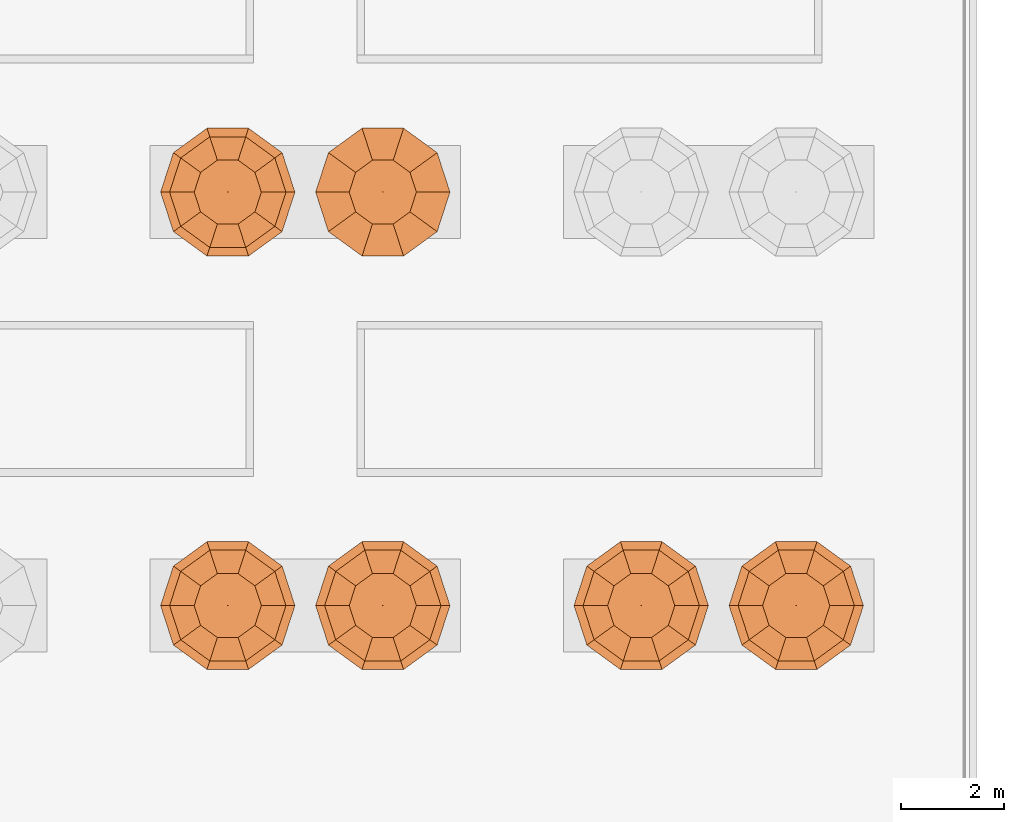
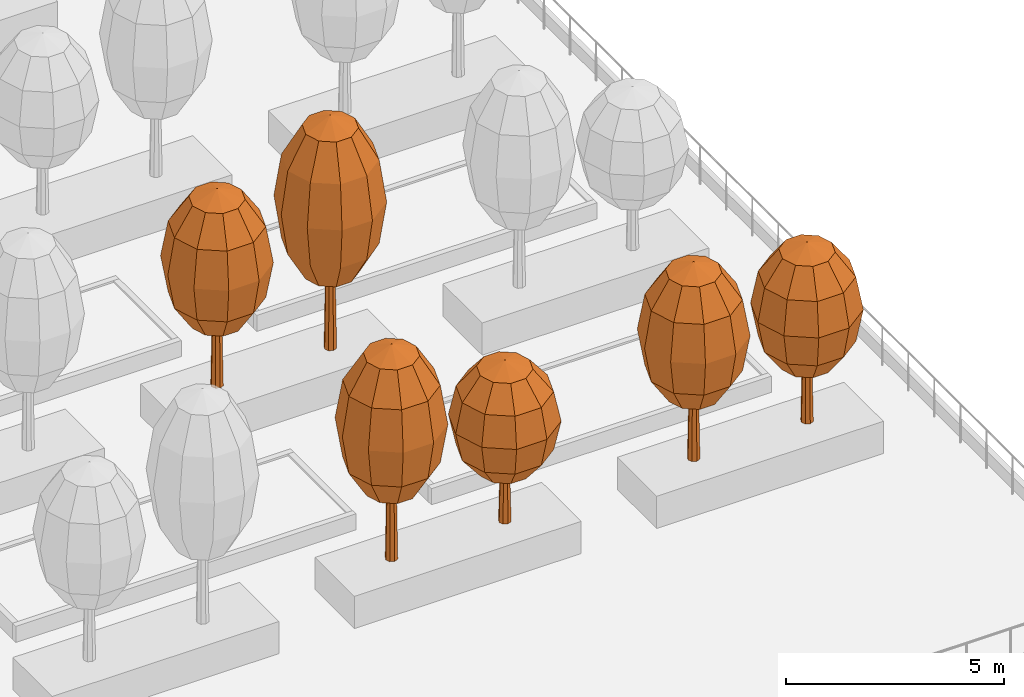
# One storey, part 98 of 100: 6 proxies.
"""IFC4 building model written with IfcOpenShell, lengths in metres."""

from ifc_helpers import new_model, si_unit, direction, frame, origin, place, context, subcontext, project, spatial, triangles, element, save


model = new_model("IFC4")

# Units and contexts
model_context = context("Model", 3, precision=1e-05, world=origin(), true_north=direction((0.0, 1.0)))
body_context = subcontext(model_context, "Body", "Model", "MODEL_VIEW")
ifc_project = project(units=[si_unit("LENGTHUNIT", "METRE"), si_unit("AREAUNIT", "SQUARE_METRE"), si_unit("VOLUMEUNIT", "CUBIC_METRE"), si_unit("PLANEANGLEUNIT", "RADIAN"), si_unit("MASSUNIT", "GRAM", prefix="KILO")], contexts=[model_context])

# Site, building, storey
site_placement = place(None, origin())
site = spatial("IfcSite", under=ifc_project, at=site_placement, CompositionType="ELEMENT")
building_placement = place(site_placement, origin())
building = spatial("IfcBuilding", under=site, at=building_placement, Name="Hakoniwa Tower and Hamabe Station Hall", CompositionType="ELEMENT")
storey_placement = place(building_placement, frame((0.0, 0.0, 9.0)))
storey = spatial("IfcBuildingStorey", under=building, at=storey_placement, Name="L02", CompositionType="ELEMENT", Elevation=9.0)

# Proxies
proxy_1_placement = place(storey_placement, frame((45.5, -57.0, 0.89990234375)))
element("IfcBuildingElementProxy", 1, at=proxy_1_placement, inside=storey, Name="Tree Ilex rotunda 05-1", ObjectType="TREE", PredefinedType="USERDEFINED", context=body_context, shape_type="Tessellation", body=[
    triangles([(0.14990234375, 0.0, 0.0), (0.106201171875, 0.106201171875, 0.0), (0.0, 0.14990234375, 0.0), (-0.106201171875, 0.106201171875, 0.0), (-0.14990234375, 0.0, 0.0), (-0.106201171875, -0.106201171875, 0.0), (0.0, -0.14990234375, 0.0), (0.106201171875, -0.106201171875, 0.0), (0.090087890625, 0.0, 3.6240234375), (0.063720703125, 0.063720703125, 3.6240234375), (0.0, 0.090087890625, 3.6240234375), (-0.063720703125, 0.063720703125, 3.6240234375), (-0.090087890625, 0.0, 3.6240234375), (-0.063720703125, -0.063720703125, 3.6240234375), (0.0, -0.090087890625, 3.6240234375), (0.063720703125, -0.063720703125, 3.6240234375), (0.0, 0.0, 0.0), (0.0, 0.0, 3.6240234375)], [[1, 2, 10], [1, 10, 9], [17, 2, 1], [18, 9, 10], [2, 3, 11], [2, 11, 10], [17, 3, 2], [18, 10, 11], [3, 4, 12], [3, 12, 11], [17, 4, 3], [18, 11, 12], [4, 5, 13], [4, 13, 12], [17, 5, 4], [18, 12, 13], [5, 6, 14], [5, 14, 13], [17, 6, 5], [18, 13, 14], [6, 7, 15], [6, 15, 14], [17, 7, 6], [18, 14, 15], [7, 8, 16], [7, 16, 15], [17, 8, 7], [18, 15, 16], [8, 1, 9], [8, 9, 16], [17, 1, 8], [18, 16, 9]], closed=True),
    triangles([(0.0, 0.0, 1.679931640625), (0.64990234375, 0.0, 1.969482421875), (0.52587890625, 0.382080078125, 1.969482421875), (0.200927734375, 0.6181640625, 1.969482421875), (-0.200927734375, 0.6181640625, 1.969482421875), (-0.52587890625, 0.382080078125, 1.969482421875), (-0.64990234375, 0.0, 1.969482421875), (-0.52587890625, -0.382080078125, 1.969482421875), (-0.200927734375, -0.6181640625, 1.969482421875), (0.200927734375, -0.6181640625, 1.969482421875), (0.52587890625, -0.382080078125, 1.969482421875), (1.1259765625, 0.0, 2.760009765625), (0.910888671875, 0.661865234375, 2.760009765625), (0.347900390625, 1.07080078125, 2.760009765625), (-0.347900390625, 1.07080078125, 2.760009765625), (-0.910888671875, 0.661865234375, 2.760009765625), (-1.1259765625, 0.0, 2.760009765625), (-0.910888671875, -0.661865234375, 2.760009765625), (-0.347900390625, -1.07080078125, 2.760009765625), (0.347900390625, -1.07080078125, 2.760009765625), (0.910888671875, -0.661865234375, 2.760009765625), (1.300048828125, 0.0, 3.840087890625), (1.0517578125, 0.76416015625, 3.840087890625), (0.40185546875, 1.236328125, 3.840087890625), (-0.40185546875, 1.236328125, 3.840087890625), (-1.0517578125, 0.76416015625, 3.840087890625), (-1.300048828125, 0.0, 3.840087890625), (-1.0517578125, -0.76416015625, 3.840087890625), (-0.40185546875, -1.236328125, 3.840087890625), (0.40185546875, -1.236328125, 3.840087890625), (1.0517578125, -0.76416015625, 3.840087890625), (1.1259765625, 0.0, 4.919921875), (0.910888671875, 0.661865234375, 4.919921875), (0.347900390625, 1.07080078125, 4.919921875), (-0.347900390625, 1.07080078125, 4.919921875), (-0.910888671875, 0.661865234375, 4.919921875), (-1.1259765625, 0.0, 4.919921875), (-0.910888671875, -0.661865234375, 4.919921875), (-0.347900390625, -1.07080078125, 4.919921875), (0.347900390625, -1.07080078125, 4.919921875), (0.910888671875, -0.661865234375, 4.919921875), (0.64990234375, 0.0, 5.710693359375), (0.52587890625, 0.382080078125, 5.710693359375), (0.200927734375, 0.6181640625, 5.710693359375), (-0.200927734375, 0.6181640625, 5.710693359375), (-0.52587890625, 0.382080078125, 5.710693359375), (-0.64990234375, 0.0, 5.710693359375), (-0.52587890625, -0.382080078125, 5.710693359375), (-0.200927734375, -0.6181640625, 5.710693359375), (0.200927734375, -0.6181640625, 5.710693359375), (0.52587890625, -0.382080078125, 5.710693359375), (0.0, 0.0, 6.0)], [[1, 3, 2], [1, 4, 3], [1, 5, 4], [1, 6, 5], [1, 7, 6], [1, 8, 7], [1, 9, 8], [1, 10, 9], [1, 11, 10], [1, 2, 11], [2, 3, 13], [2, 13, 12], [3, 4, 14], [3, 14, 13], [4, 5, 15], [4, 15, 14], [5, 6, 16], [5, 16, 15], [6, 7, 17], [6, 17, 16], [7, 8, 18], [7, 18, 17], [8, 9, 19], [8, 19, 18], [9, 10, 20], [9, 20, 19], [10, 11, 21], [10, 21, 20], [11, 2, 12], [11, 12, 21], [12, 13, 23], [12, 23, 22], [13, 14, 24], [13, 24, 23], [14, 15, 25], [14, 25, 24], [15, 16, 26], [15, 26, 25], [16, 17, 27], [16, 27, 26], [17, 18, 28], [17, 28, 27], [18, 19, 29], [18, 29, 28], [19, 20, 30], [19, 30, 29], [20, 21, 31], [20, 31, 30], [21, 12, 22], [21, 22, 31], [22, 23, 33], [22, 33, 32], [23, 24, 34], [23, 34, 33], [24, 25, 35], [24, 35, 34], [25, 26, 36], [25, 36, 35], [26, 27, 37], [26, 37, 36], [27, 28, 38], [27, 38, 37], [28, 29, 39], [28, 39, 38], [29, 30, 40], [29, 40, 39], [30, 31, 41], [30, 41, 40], [31, 22, 32], [31, 32, 41], [32, 33, 43], [32, 43, 42], [33, 34, 44], [33, 44, 43], [34, 35, 45], [34, 45, 44], [35, 36, 46], [35, 46, 45], [36, 37, 47], [36, 47, 46], [37, 38, 48], [37, 48, 47], [38, 39, 49], [38, 49, 48], [39, 40, 50], [39, 50, 49], [40, 41, 51], [40, 51, 50], [41, 32, 42], [41, 42, 51], [52, 42, 43], [52, 43, 44], [52, 44, 45], [52, 45, 46], [52, 46, 47], [52, 47, 48], [52, 48, 49], [52, 49, 50], [52, 50, 51], [52, 51, 42]], closed=True),
])
proxy_2_placement = place(storey_placement, frame((48.5, -57.0, 0.89990234375)))
element("IfcBuildingElementProxy", 2, at=proxy_2_placement, inside=storey, Name="Tree Camellia sasanqua 05-2", ObjectType="TREE", PredefinedType="USERDEFINED", context=body_context, shape_type="Tessellation", body=[
    triangles([(0.14990234375, 0.0, 0.0), (0.106201171875, 0.106201171875, 0.0), (0.0, 0.14990234375, 0.0), (-0.106201171875, 0.106201171875, 0.0), (-0.14990234375, 0.0, 0.0), (-0.106201171875, -0.106201171875, 0.0), (0.0, -0.14990234375, 0.0), (0.106201171875, -0.106201171875, 0.0), (0.090087890625, 0.0, 2.718017578125), (0.063720703125, 0.063720703125, 2.718017578125), (0.0, 0.090087890625, 2.718017578125), (-0.063720703125, 0.063720703125, 2.718017578125), (-0.090087890625, 0.0, 2.718017578125), (-0.063720703125, -0.063720703125, 2.718017578125), (0.0, -0.090087890625, 2.718017578125), (0.063720703125, -0.063720703125, 2.718017578125), (0.0, 0.0, 0.0), (0.0, 0.0, 2.718017578125)], [[1, 2, 10], [1, 10, 9], [17, 2, 1], [18, 9, 10], [2, 3, 11], [2, 11, 10], [17, 3, 2], [18, 10, 11], [3, 4, 12], [3, 12, 11], [17, 4, 3], [18, 11, 12], [4, 5, 13], [4, 13, 12], [17, 5, 4], [18, 12, 13], [5, 6, 14], [5, 14, 13], [17, 6, 5], [18, 13, 14], [6, 7, 15], [6, 15, 14], [17, 7, 6], [18, 14, 15], [7, 8, 16], [7, 16, 15], [17, 8, 7], [18, 15, 16], [8, 1, 9], [8, 9, 16], [17, 1, 8], [18, 16, 9]], closed=True),
    triangles([(0.0, 0.0, 1.260009765625), (0.64990234375, 0.0, 1.47705078125), (0.52587890625, 0.382080078125, 1.47705078125), (0.200927734375, 0.6181640625, 1.47705078125), (-0.200927734375, 0.6181640625, 1.47705078125), (-0.52587890625, 0.382080078125, 1.47705078125), (-0.64990234375, 0.0, 1.47705078125), (-0.52587890625, -0.382080078125, 1.47705078125), (-0.200927734375, -0.6181640625, 1.47705078125), (0.200927734375, -0.6181640625, 1.47705078125), (0.52587890625, -0.382080078125, 1.47705078125), (1.1259765625, 0.0, 2.070068359375), (0.910888671875, 0.661865234375, 2.070068359375), (0.347900390625, 1.07080078125, 2.070068359375), (-0.347900390625, 1.07080078125, 2.070068359375), (-0.910888671875, 0.661865234375, 2.070068359375), (-1.1259765625, 0.0, 2.070068359375), (-0.910888671875, -0.661865234375, 2.070068359375), (-0.347900390625, -1.07080078125, 2.070068359375), (0.347900390625, -1.07080078125, 2.070068359375), (0.910888671875, -0.661865234375, 2.070068359375), (1.300048828125, 0.0, 2.8798828125), (1.0517578125, 0.76416015625, 2.8798828125), (0.40185546875, 1.236328125, 2.8798828125), (-0.40185546875, 1.236328125, 2.8798828125), (-1.0517578125, 0.76416015625, 2.8798828125), (-1.300048828125, 0.0, 2.8798828125), (-1.0517578125, -0.76416015625, 2.8798828125), (-0.40185546875, -1.236328125, 2.8798828125), (0.40185546875, -1.236328125, 2.8798828125), (1.0517578125, -0.76416015625, 2.8798828125), (1.1259765625, 0.0, 3.68994140625), (0.910888671875, 0.661865234375, 3.68994140625), (0.347900390625, 1.07080078125, 3.68994140625), (-0.347900390625, 1.07080078125, 3.68994140625), (-0.910888671875, 0.661865234375, 3.68994140625), (-1.1259765625, 0.0, 3.68994140625), (-0.910888671875, -0.661865234375, 3.68994140625), (-0.347900390625, -1.07080078125, 3.68994140625), (0.347900390625, -1.07080078125, 3.68994140625), (0.910888671875, -0.661865234375, 3.68994140625), (0.64990234375, 0.0, 4.282958984375), (0.52587890625, 0.382080078125, 4.282958984375), (0.200927734375, 0.6181640625, 4.282958984375), (-0.200927734375, 0.6181640625, 4.282958984375), (-0.52587890625, 0.382080078125, 4.282958984375), (-0.64990234375, 0.0, 4.282958984375), (-0.52587890625, -0.382080078125, 4.282958984375), (-0.200927734375, -0.6181640625, 4.282958984375), (0.200927734375, -0.6181640625, 4.282958984375), (0.52587890625, -0.382080078125, 4.282958984375), (0.0, 0.0, 4.5)], [[1, 3, 2], [1, 4, 3], [1, 5, 4], [1, 6, 5], [1, 7, 6], [1, 8, 7], [1, 9, 8], [1, 10, 9], [1, 11, 10], [1, 2, 11], [2, 3, 13], [2, 13, 12], [3, 4, 14], [3, 14, 13], [4, 5, 15], [4, 15, 14], [5, 6, 16], [5, 16, 15], [6, 7, 17], [6, 17, 16], [7, 8, 18], [7, 18, 17], [8, 9, 19], [8, 19, 18], [9, 10, 20], [9, 20, 19], [10, 11, 21], [10, 21, 20], [11, 2, 12], [11, 12, 21], [12, 13, 23], [12, 23, 22], [13, 14, 24], [13, 24, 23], [14, 15, 25], [14, 25, 24], [15, 16, 26], [15, 26, 25], [16, 17, 27], [16, 27, 26], [17, 18, 28], [17, 28, 27], [18, 19, 29], [18, 29, 28], [19, 20, 30], [19, 30, 29], [20, 21, 31], [20, 31, 30], [21, 12, 22], [21, 22, 31], [22, 23, 33], [22, 33, 32], [23, 24, 34], [23, 34, 33], [24, 25, 35], [24, 35, 34], [25, 26, 36], [25, 36, 35], [26, 27, 37], [26, 37, 36], [27, 28, 38], [27, 38, 37], [28, 29, 39], [28, 39, 38], [29, 30, 40], [29, 40, 39], [30, 31, 41], [30, 41, 40], [31, 22, 32], [31, 32, 41], [32, 33, 43], [32, 43, 42], [33, 34, 44], [33, 44, 43], [34, 35, 45], [34, 45, 44], [35, 36, 46], [35, 46, 45], [36, 37, 47], [36, 47, 46], [37, 38, 48], [37, 48, 47], [38, 39, 49], [38, 49, 48], [39, 40, 50], [39, 50, 49], [40, 41, 51], [40, 51, 50], [41, 32, 42], [41, 42, 51], [52, 42, 43], [52, 43, 44], [52, 44, 45], [52, 45, 46], [52, 46, 47], [52, 47, 48], [52, 48, 49], [52, 49, 50], [52, 50, 51], [52, 51, 42]], closed=True),
])
proxy_3_placement = place(storey_placement, frame((53.5, -57.0, 0.89990234375)))
element("IfcBuildingElementProxy", 3, at=proxy_3_placement, inside=storey, Name="Tree Ternstroemia gymnanthera 06-1", ObjectType="TREE", PredefinedType="USERDEFINED", context=body_context, shape_type="Tessellation", body=[
    triangles([(0.14990234375, 0.0, 0.0), (0.106201171875, 0.106201171875, 0.0), (0.0, 0.14990234375, 0.0), (-0.106201171875, 0.106201171875, 0.0), (-0.14990234375, 0.0, 0.0), (-0.106201171875, -0.106201171875, 0.0), (0.0, -0.14990234375, 0.0), (0.106201171875, -0.106201171875, 0.0), (0.090087890625, 0.0, 3.322021484375), (0.063720703125, 0.063720703125, 3.322021484375), (0.0, 0.090087890625, 3.322021484375), (-0.063720703125, 0.063720703125, 3.322021484375), (-0.090087890625, 0.0, 3.322021484375), (-0.063720703125, -0.063720703125, 3.322021484375), (0.0, -0.090087890625, 3.322021484375), (0.063720703125, -0.063720703125, 3.322021484375), (0.0, 0.0, 0.0), (0.0, 0.0, 3.322021484375)], [[1, 2, 10], [1, 10, 9], [17, 2, 1], [18, 9, 10], [2, 3, 11], [2, 11, 10], [17, 3, 2], [18, 10, 11], [3, 4, 12], [3, 12, 11], [17, 4, 3], [18, 11, 12], [4, 5, 13], [4, 13, 12], [17, 5, 4], [18, 12, 13], [5, 6, 14], [5, 14, 13], [17, 6, 5], [18, 13, 14], [6, 7, 15], [6, 15, 14], [17, 7, 6], [18, 14, 15], [7, 8, 16], [7, 16, 15], [17, 8, 7], [18, 15, 16], [8, 1, 9], [8, 9, 16], [17, 1, 8], [18, 16, 9]], closed=True),
    triangles([(0.0, 0.0, 1.5400390625), (0.64990234375, 0.0, 1.80517578125), (0.52587890625, 0.382080078125, 1.80517578125), (0.200927734375, 0.6181640625, 1.80517578125), (-0.200927734375, 0.6181640625, 1.80517578125), (-0.52587890625, 0.382080078125, 1.80517578125), (-0.64990234375, 0.0, 1.80517578125), (-0.52587890625, -0.382080078125, 1.80517578125), (-0.200927734375, -0.6181640625, 1.80517578125), (0.200927734375, -0.6181640625, 1.80517578125), (0.52587890625, -0.382080078125, 1.80517578125), (1.1259765625, 0.0, 2.530029296875), (0.910888671875, 0.661865234375, 2.530029296875), (0.347900390625, 1.07080078125, 2.530029296875), (-0.347900390625, 1.07080078125, 2.530029296875), (-0.910888671875, 0.661865234375, 2.530029296875), (-1.1259765625, 0.0, 2.530029296875), (-0.910888671875, -0.661865234375, 2.530029296875), (-0.347900390625, -1.07080078125, 2.530029296875), (0.347900390625, -1.07080078125, 2.530029296875), (0.910888671875, -0.661865234375, 2.530029296875), (1.300048828125, 0.0, 3.52001953125), (1.0517578125, 0.76416015625, 3.52001953125), (0.40185546875, 1.236328125, 3.52001953125), (-0.40185546875, 1.236328125, 3.52001953125), (-1.0517578125, 0.76416015625, 3.52001953125), (-1.300048828125, 0.0, 3.52001953125), (-1.0517578125, -0.76416015625, 3.52001953125), (-0.40185546875, -1.236328125, 3.52001953125), (0.40185546875, -1.236328125, 3.52001953125), (1.0517578125, -0.76416015625, 3.52001953125), (1.1259765625, 0.0, 4.510009765625), (0.910888671875, 0.661865234375, 4.510009765625), (0.347900390625, 1.07080078125, 4.510009765625), (-0.347900390625, 1.07080078125, 4.510009765625), (-0.910888671875, 0.661865234375, 4.510009765625), (-1.1259765625, 0.0, 4.510009765625), (-0.910888671875, -0.661865234375, 4.510009765625), (-0.347900390625, -1.07080078125, 4.510009765625), (0.347900390625, -1.07080078125, 4.510009765625), (0.910888671875, -0.661865234375, 4.510009765625), (0.64990234375, 0.0, 5.234619140625), (0.52587890625, 0.382080078125, 5.234619140625), (0.200927734375, 0.6181640625, 5.234619140625), (-0.200927734375, 0.6181640625, 5.234619140625), (-0.52587890625, 0.382080078125, 5.234619140625), (-0.64990234375, 0.0, 5.234619140625), (-0.52587890625, -0.382080078125, 5.234619140625), (-0.200927734375, -0.6181640625, 5.234619140625), (0.200927734375, -0.6181640625, 5.234619140625), (0.52587890625, -0.382080078125, 5.234619140625), (0.0, 0.0, 5.5)], [[1, 3, 2], [1, 4, 3], [1, 5, 4], [1, 6, 5], [1, 7, 6], [1, 8, 7], [1, 9, 8], [1, 10, 9], [1, 11, 10], [1, 2, 11], [2, 3, 13], [2, 13, 12], [3, 4, 14], [3, 14, 13], [4, 5, 15], [4, 15, 14], [5, 6, 16], [5, 16, 15], [6, 7, 17], [6, 17, 16], [7, 8, 18], [7, 18, 17], [8, 9, 19], [8, 19, 18], [9, 10, 20], [9, 20, 19], [10, 11, 21], [10, 21, 20], [11, 2, 12], [11, 12, 21], [12, 13, 23], [12, 23, 22], [13, 14, 24], [13, 24, 23], [14, 15, 25], [14, 25, 24], [15, 16, 26], [15, 26, 25], [16, 17, 27], [16, 27, 26], [17, 18, 28], [17, 28, 27], [18, 19, 29], [18, 29, 28], [19, 20, 30], [19, 30, 29], [20, 21, 31], [20, 31, 30], [21, 12, 22], [21, 22, 31], [22, 23, 33], [22, 33, 32], [23, 24, 34], [23, 34, 33], [24, 25, 35], [24, 35, 34], [25, 26, 36], [25, 36, 35], [26, 27, 37], [26, 37, 36], [27, 28, 38], [27, 38, 37], [28, 29, 39], [28, 39, 38], [29, 30, 40], [29, 40, 39], [30, 31, 41], [30, 41, 40], [31, 22, 32], [31, 32, 41], [32, 33, 43], [32, 43, 42], [33, 34, 44], [33, 44, 43], [34, 35, 45], [34, 45, 44], [35, 36, 46], [35, 46, 45], [36, 37, 47], [36, 47, 46], [37, 38, 48], [37, 48, 47], [38, 39, 49], [38, 49, 48], [39, 40, 50], [39, 50, 49], [40, 41, 51], [40, 51, 50], [41, 32, 42], [41, 42, 51], [52, 42, 43], [52, 43, 44], [52, 44, 45], [52, 45, 46], [52, 46, 47], [52, 47, 48], [52, 48, 49], [52, 49, 50], [52, 50, 51], [52, 51, 42]], closed=True),
])
proxy_4_placement = place(storey_placement, frame((56.5, -57.0, 0.89990234375)))
element("IfcBuildingElementProxy", 4, at=proxy_4_placement, inside=storey, Name="Tree Ilex pedunculosa 06-2", ObjectType="TREE", PredefinedType="USERDEFINED", context=body_context, shape_type="Tessellation", body=[
    triangles([(0.14990234375, 0.0, 0.0), (0.106201171875, 0.106201171875, 0.0), (0.0, 0.14990234375, 0.0), (-0.106201171875, 0.106201171875, 0.0), (-0.14990234375, 0.0, 0.0), (-0.106201171875, -0.106201171875, 0.0), (0.0, -0.14990234375, 0.0), (0.106201171875, -0.106201171875, 0.0), (0.090087890625, 0.0, 3.02001953125), (0.063720703125, 0.063720703125, 3.02001953125), (0.0, 0.090087890625, 3.02001953125), (-0.063720703125, 0.063720703125, 3.02001953125), (-0.090087890625, 0.0, 3.02001953125), (-0.063720703125, -0.063720703125, 3.02001953125), (0.0, -0.090087890625, 3.02001953125), (0.063720703125, -0.063720703125, 3.02001953125), (0.0, 0.0, 0.0), (0.0, 0.0, 3.02001953125)], [[1, 2, 10], [1, 10, 9], [17, 2, 1], [18, 9, 10], [2, 3, 11], [2, 11, 10], [17, 3, 2], [18, 10, 11], [3, 4, 12], [3, 12, 11], [17, 4, 3], [18, 11, 12], [4, 5, 13], [4, 13, 12], [17, 5, 4], [18, 12, 13], [5, 6, 14], [5, 14, 13], [17, 6, 5], [18, 13, 14], [6, 7, 15], [6, 15, 14], [17, 7, 6], [18, 14, 15], [7, 8, 16], [7, 16, 15], [17, 8, 7], [18, 15, 16], [8, 1, 9], [8, 9, 16], [17, 1, 8], [18, 16, 9]], closed=True),
    triangles([(0.0, 0.0, 1.39990234375), (0.64990234375, 0.0, 1.64111328125), (0.52587890625, 0.382080078125, 1.64111328125), (0.200927734375, 0.6181640625, 1.64111328125), (-0.200927734375, 0.6181640625, 1.64111328125), (-0.52587890625, 0.382080078125, 1.64111328125), (-0.64990234375, 0.0, 1.64111328125), (-0.52587890625, -0.382080078125, 1.64111328125), (-0.200927734375, -0.6181640625, 1.64111328125), (0.200927734375, -0.6181640625, 1.64111328125), (0.52587890625, -0.382080078125, 1.64111328125), (1.1259765625, 0.0, 2.300048828125), (0.910888671875, 0.661865234375, 2.300048828125), (0.347900390625, 1.07080078125, 2.300048828125), (-0.347900390625, 1.07080078125, 2.300048828125), (-0.910888671875, 0.661865234375, 2.300048828125), (-1.1259765625, 0.0, 2.300048828125), (-0.910888671875, -0.661865234375, 2.300048828125), (-0.347900390625, -1.07080078125, 2.300048828125), (0.347900390625, -1.07080078125, 2.300048828125), (0.910888671875, -0.661865234375, 2.300048828125), (1.300048828125, 0.0, 3.199951171875), (1.0517578125, 0.76416015625, 3.199951171875), (0.40185546875, 1.236328125, 3.199951171875), (-0.40185546875, 1.236328125, 3.199951171875), (-1.0517578125, 0.76416015625, 3.199951171875), (-1.300048828125, 0.0, 3.199951171875), (-1.0517578125, -0.76416015625, 3.199951171875), (-0.40185546875, -1.236328125, 3.199951171875), (0.40185546875, -1.236328125, 3.199951171875), (1.0517578125, -0.76416015625, 3.199951171875), (1.1259765625, 0.0, 4.10009765625), (0.910888671875, 0.661865234375, 4.10009765625), (0.347900390625, 1.07080078125, 4.10009765625), (-0.347900390625, 1.07080078125, 4.10009765625), (-0.910888671875, 0.661865234375, 4.10009765625), (-1.1259765625, 0.0, 4.10009765625), (-0.910888671875, -0.661865234375, 4.10009765625), (-0.347900390625, -1.07080078125, 4.10009765625), (0.347900390625, -1.07080078125, 4.10009765625), (0.910888671875, -0.661865234375, 4.10009765625), (0.64990234375, 0.0, 4.7587890625), (0.52587890625, 0.382080078125, 4.7587890625), (0.200927734375, 0.6181640625, 4.7587890625), (-0.200927734375, 0.6181640625, 4.7587890625), (-0.52587890625, 0.382080078125, 4.7587890625), (-0.64990234375, 0.0, 4.7587890625), (-0.52587890625, -0.382080078125, 4.7587890625), (-0.200927734375, -0.6181640625, 4.7587890625), (0.200927734375, -0.6181640625, 4.7587890625), (0.52587890625, -0.382080078125, 4.7587890625), (0.0, 0.0, 5.0)], [[1, 3, 2], [1, 4, 3], [1, 5, 4], [1, 6, 5], [1, 7, 6], [1, 8, 7], [1, 9, 8], [1, 10, 9], [1, 11, 10], [1, 2, 11], [2, 3, 13], [2, 13, 12], [3, 4, 14], [3, 14, 13], [4, 5, 15], [4, 15, 14], [5, 6, 16], [5, 16, 15], [6, 7, 17], [6, 17, 16], [7, 8, 18], [7, 18, 17], [8, 9, 19], [8, 19, 18], [9, 10, 20], [9, 20, 19], [10, 11, 21], [10, 21, 20], [11, 2, 12], [11, 12, 21], [12, 13, 23], [12, 23, 22], [13, 14, 24], [13, 24, 23], [14, 15, 25], [14, 25, 24], [15, 16, 26], [15, 26, 25], [16, 17, 27], [16, 27, 26], [17, 18, 28], [17, 28, 27], [18, 19, 29], [18, 29, 28], [19, 20, 30], [19, 30, 29], [20, 21, 31], [20, 31, 30], [21, 12, 22], [21, 22, 31], [22, 23, 33], [22, 33, 32], [23, 24, 34], [23, 34, 33], [24, 25, 35], [24, 35, 34], [25, 26, 36], [25, 36, 35], [26, 27, 37], [26, 37, 36], [27, 28, 38], [27, 38, 37], [28, 29, 39], [28, 39, 38], [29, 30, 40], [29, 40, 39], [30, 31, 41], [30, 41, 40], [31, 22, 32], [31, 32, 41], [32, 33, 43], [32, 43, 42], [33, 34, 44], [33, 44, 43], [34, 35, 45], [34, 45, 44], [35, 36, 46], [35, 46, 45], [36, 37, 47], [36, 47, 46], [37, 38, 48], [37, 48, 47], [38, 39, 49], [38, 49, 48], [39, 40, 50], [39, 50, 49], [40, 41, 51], [40, 51, 50], [41, 32, 42], [41, 42, 51], [52, 42, 43], [52, 43, 44], [52, 44, 45], [52, 45, 46], [52, 46, 47], [52, 47, 48], [52, 48, 49], [52, 49, 50], [52, 50, 51], [52, 51, 42]], closed=True),
])
proxy_5_placement = place(storey_placement, frame((45.5, -49.0, 0.89990234375)))
element("IfcBuildingElementProxy", 5, at=proxy_5_placement, inside=storey, Name="Tree Dendropanax trifidus 11-1", ObjectType="TREE", PredefinedType="USERDEFINED", context=body_context, shape_type="Tessellation", body=[
    triangles([(0.14990234375, 0.0, 0.0), (0.106201171875, 0.106201171875, 0.0), (0.0, 0.14990234375, 0.0), (-0.106201171875, 0.106201171875, 0.0), (-0.14990234375, 0.0, 0.0), (-0.106201171875, -0.106201171875, 0.0), (0.0, -0.14990234375, 0.0), (0.106201171875, -0.106201171875, 0.0), (0.090087890625, 0.0, 3.322021484375), (0.063720703125, 0.063720703125, 3.322021484375), (0.0, 0.090087890625, 3.322021484375), (-0.063720703125, 0.063720703125, 3.322021484375), (-0.090087890625, 0.0, 3.322021484375), (-0.063720703125, -0.063720703125, 3.322021484375), (0.0, -0.090087890625, 3.322021484375), (0.063720703125, -0.063720703125, 3.322021484375), (0.0, 0.0, 0.0), (0.0, 0.0, 3.322021484375)], [[1, 2, 10], [1, 10, 9], [17, 2, 1], [18, 9, 10], [2, 3, 11], [2, 11, 10], [17, 3, 2], [18, 10, 11], [3, 4, 12], [3, 12, 11], [17, 4, 3], [18, 11, 12], [4, 5, 13], [4, 13, 12], [17, 5, 4], [18, 12, 13], [5, 6, 14], [5, 14, 13], [17, 6, 5], [18, 13, 14], [6, 7, 15], [6, 15, 14], [17, 7, 6], [18, 14, 15], [7, 8, 16], [7, 16, 15], [17, 8, 7], [18, 15, 16], [8, 1, 9], [8, 9, 16], [17, 1, 8], [18, 16, 9]], closed=True),
    triangles([(0.0, 0.0, 1.5400390625), (0.64990234375, 0.0, 1.80517578125), (0.52587890625, 0.382080078125, 1.80517578125), (0.200927734375, 0.6181640625, 1.80517578125), (-0.200927734375, 0.6181640625, 1.80517578125), (-0.52587890625, 0.382080078125, 1.80517578125), (-0.64990234375, 0.0, 1.80517578125), (-0.52587890625, -0.382080078125, 1.80517578125), (-0.200927734375, -0.6181640625, 1.80517578125), (0.200927734375, -0.6181640625, 1.80517578125), (0.52587890625, -0.382080078125, 1.80517578125), (1.1259765625, 0.0, 2.530029296875), (0.910888671875, 0.661865234375, 2.530029296875), (0.347900390625, 1.07080078125, 2.530029296875), (-0.347900390625, 1.07080078125, 2.530029296875), (-0.910888671875, 0.661865234375, 2.530029296875), (-1.1259765625, 0.0, 2.530029296875), (-0.910888671875, -0.661865234375, 2.530029296875), (-0.347900390625, -1.07080078125, 2.530029296875), (0.347900390625, -1.07080078125, 2.530029296875), (0.910888671875, -0.661865234375, 2.530029296875), (1.300048828125, 0.0, 3.52001953125), (1.0517578125, 0.76416015625, 3.52001953125), (0.40185546875, 1.236328125, 3.52001953125), (-0.40185546875, 1.236328125, 3.52001953125), (-1.0517578125, 0.76416015625, 3.52001953125), (-1.300048828125, 0.0, 3.52001953125), (-1.0517578125, -0.76416015625, 3.52001953125), (-0.40185546875, -1.236328125, 3.52001953125), (0.40185546875, -1.236328125, 3.52001953125), (1.0517578125, -0.76416015625, 3.52001953125), (1.1259765625, 0.0, 4.510009765625), (0.910888671875, 0.661865234375, 4.510009765625), (0.347900390625, 1.07080078125, 4.510009765625), (-0.347900390625, 1.07080078125, 4.510009765625), (-0.910888671875, 0.661865234375, 4.510009765625), (-1.1259765625, 0.0, 4.510009765625), (-0.910888671875, -0.661865234375, 4.510009765625), (-0.347900390625, -1.07080078125, 4.510009765625), (0.347900390625, -1.07080078125, 4.510009765625), (0.910888671875, -0.661865234375, 4.510009765625), (0.64990234375, 0.0, 5.234619140625), (0.52587890625, 0.382080078125, 5.234619140625), (0.200927734375, 0.6181640625, 5.234619140625), (-0.200927734375, 0.6181640625, 5.234619140625), (-0.52587890625, 0.382080078125, 5.234619140625), (-0.64990234375, 0.0, 5.234619140625), (-0.52587890625, -0.382080078125, 5.234619140625), (-0.200927734375, -0.6181640625, 5.234619140625), (0.200927734375, -0.6181640625, 5.234619140625), (0.52587890625, -0.382080078125, 5.234619140625), (0.0, 0.0, 5.5)], [[1, 3, 2], [1, 4, 3], [1, 5, 4], [1, 6, 5], [1, 7, 6], [1, 8, 7], [1, 9, 8], [1, 10, 9], [1, 11, 10], [1, 2, 11], [2, 3, 13], [2, 13, 12], [3, 4, 14], [3, 14, 13], [4, 5, 15], [4, 15, 14], [5, 6, 16], [5, 16, 15], [6, 7, 17], [6, 17, 16], [7, 8, 18], [7, 18, 17], [8, 9, 19], [8, 19, 18], [9, 10, 20], [9, 20, 19], [10, 11, 21], [10, 21, 20], [11, 2, 12], [11, 12, 21], [12, 13, 23], [12, 23, 22], [13, 14, 24], [13, 24, 23], [14, 15, 25], [14, 25, 24], [15, 16, 26], [15, 26, 25], [16, 17, 27], [16, 27, 26], [17, 18, 28], [17, 28, 27], [18, 19, 29], [18, 29, 28], [19, 20, 30], [19, 30, 29], [20, 21, 31], [20, 31, 30], [21, 12, 22], [21, 22, 31], [22, 23, 33], [22, 33, 32], [23, 24, 34], [23, 34, 33], [24, 25, 35], [24, 35, 34], [25, 26, 36], [25, 36, 35], [26, 27, 37], [26, 37, 36], [27, 28, 38], [27, 38, 37], [28, 29, 39], [28, 39, 38], [29, 30, 40], [29, 40, 39], [30, 31, 41], [30, 41, 40], [31, 22, 32], [31, 32, 41], [32, 33, 43], [32, 43, 42], [33, 34, 44], [33, 44, 43], [34, 35, 45], [34, 45, 44], [35, 36, 46], [35, 46, 45], [36, 37, 47], [36, 47, 46], [37, 38, 48], [37, 48, 47], [38, 39, 49], [38, 49, 48], [39, 40, 50], [39, 50, 49], [40, 41, 51], [40, 51, 50], [41, 32, 42], [41, 42, 51], [52, 42, 43], [52, 43, 44], [52, 44, 45], [52, 45, 46], [52, 46, 47], [52, 47, 48], [52, 48, 49], [52, 49, 50], [52, 50, 51], [52, 51, 42]], closed=True),
])
proxy_6_placement = place(storey_placement, frame((48.5, -49.0, 0.89990234375)))
element("IfcBuildingElementProxy", 6, at=proxy_6_placement, inside=storey, Name="Tree Quercus phillyraeoides 11-2", ObjectType="TREE", PredefinedType="USERDEFINED", context=body_context, shape_type="Tessellation", body=[
    triangles([(0.14990234375, 0.0, 0.0), (0.106201171875, 0.106201171875, 0.0), (0.0, 0.14990234375, 0.0), (-0.106201171875, 0.106201171875, 0.0), (-0.14990234375, 0.0, 0.0), (-0.106201171875, -0.106201171875, 0.0), (0.0, -0.14990234375, 0.0), (0.106201171875, -0.106201171875, 0.0), (0.090087890625, 0.0, 3.926025390625), (0.063720703125, 0.063720703125, 3.926025390625), (0.0, 0.090087890625, 3.926025390625), (-0.063720703125, 0.063720703125, 3.926025390625), (-0.090087890625, 0.0, 3.926025390625), (-0.063720703125, -0.063720703125, 3.926025390625), (0.0, -0.090087890625, 3.926025390625), (0.063720703125, -0.063720703125, 3.926025390625), (0.0, 0.0, 0.0), (0.0, 0.0, 3.926025390625)], [[1, 2, 10], [1, 10, 9], [17, 2, 1], [18, 9, 10], [2, 3, 11], [2, 11, 10], [17, 3, 2], [18, 10, 11], [3, 4, 12], [3, 12, 11], [17, 4, 3], [18, 11, 12], [4, 5, 13], [4, 13, 12], [17, 5, 4], [18, 12, 13], [5, 6, 14], [5, 14, 13], [17, 6, 5], [18, 13, 14], [6, 7, 15], [6, 15, 14], [17, 7, 6], [18, 14, 15], [7, 8, 16], [7, 16, 15], [17, 8, 7], [18, 15, 16], [8, 1, 9], [8, 9, 16], [17, 1, 8], [18, 16, 9]], closed=True),
    triangles([(0.0, 0.0, 1.820068359375), (0.64990234375, 0.0, 2.133544921875), (0.52587890625, 0.382080078125, 2.133544921875), (0.200927734375, 0.6181640625, 2.133544921875), (-0.200927734375, 0.6181640625, 2.133544921875), (-0.52587890625, 0.382080078125, 2.133544921875), (-0.64990234375, 0.0, 2.133544921875), (-0.52587890625, -0.382080078125, 2.133544921875), (-0.200927734375, -0.6181640625, 2.133544921875), (0.200927734375, -0.6181640625, 2.133544921875), (0.52587890625, -0.382080078125, 2.133544921875), (1.1259765625, 0.0, 2.989990234375), (0.910888671875, 0.661865234375, 2.989990234375), (0.347900390625, 1.07080078125, 2.989990234375), (-0.347900390625, 1.07080078125, 2.989990234375), (-0.910888671875, 0.661865234375, 2.989990234375), (-1.1259765625, 0.0, 2.989990234375), (-0.910888671875, -0.661865234375, 2.989990234375), (-0.347900390625, -1.07080078125, 2.989990234375), (0.347900390625, -1.07080078125, 2.989990234375), (0.910888671875, -0.661865234375, 2.989990234375), (1.300048828125, 0.0, 4.159912109375), (1.0517578125, 0.76416015625, 4.159912109375), (0.40185546875, 1.236328125, 4.159912109375), (-0.40185546875, 1.236328125, 4.159912109375), (-1.0517578125, 0.76416015625, 4.159912109375), (-1.300048828125, 0.0, 4.159912109375), (-1.0517578125, -0.76416015625, 4.159912109375), (-0.40185546875, -1.236328125, 4.159912109375), (0.40185546875, -1.236328125, 4.159912109375), (1.0517578125, -0.76416015625, 4.159912109375), (1.1259765625, 0.0, 5.330078125), (0.910888671875, 0.661865234375, 5.330078125), (0.347900390625, 1.07080078125, 5.330078125), (-0.347900390625, 1.07080078125, 5.330078125), (-0.910888671875, 0.661865234375, 5.330078125), (-1.1259765625, 0.0, 5.330078125), (-0.910888671875, -0.661865234375, 5.330078125), (-0.347900390625, -1.07080078125, 5.330078125), (0.347900390625, -1.07080078125, 5.330078125), (0.910888671875, -0.661865234375, 5.330078125), (0.64990234375, 0.0, 6.1865234375), (0.52587890625, 0.382080078125, 6.1865234375), (0.200927734375, 0.6181640625, 6.1865234375), (-0.200927734375, 0.6181640625, 6.1865234375), (-0.52587890625, 0.382080078125, 6.1865234375), (-0.64990234375, 0.0, 6.1865234375), (-0.52587890625, -0.382080078125, 6.1865234375), (-0.200927734375, -0.6181640625, 6.1865234375), (0.200927734375, -0.6181640625, 6.1865234375), (0.52587890625, -0.382080078125, 6.1865234375), (0.0, 0.0, 6.5)], [[1, 3, 2], [1, 4, 3], [1, 5, 4], [1, 6, 5], [1, 7, 6], [1, 8, 7], [1, 9, 8], [1, 10, 9], [1, 11, 10], [1, 2, 11], [2, 3, 13], [2, 13, 12], [3, 4, 14], [3, 14, 13], [4, 5, 15], [4, 15, 14], [5, 6, 16], [5, 16, 15], [6, 7, 17], [6, 17, 16], [7, 8, 18], [7, 18, 17], [8, 9, 19], [8, 19, 18], [9, 10, 20], [9, 20, 19], [10, 11, 21], [10, 21, 20], [11, 2, 12], [11, 12, 21], [12, 13, 23], [12, 23, 22], [13, 14, 24], [13, 24, 23], [14, 15, 25], [14, 25, 24], [15, 16, 26], [15, 26, 25], [16, 17, 27], [16, 27, 26], [17, 18, 28], [17, 28, 27], [18, 19, 29], [18, 29, 28], [19, 20, 30], [19, 30, 29], [20, 21, 31], [20, 31, 30], [21, 12, 22], [21, 22, 31], [22, 23, 33], [22, 33, 32], [23, 24, 34], [23, 34, 33], [24, 25, 35], [24, 35, 34], [25, 26, 36], [25, 36, 35], [26, 27, 37], [26, 37, 36], [27, 28, 38], [27, 38, 37], [28, 29, 39], [28, 39, 38], [29, 30, 40], [29, 40, 39], [30, 31, 41], [30, 41, 40], [31, 22, 32], [31, 32, 41], [32, 33, 43], [32, 43, 42], [33, 34, 44], [33, 44, 43], [34, 35, 45], [34, 45, 44], [35, 36, 46], [35, 46, 45], [36, 37, 47], [36, 47, 46], [37, 38, 48], [37, 48, 47], [38, 39, 49], [38, 49, 48], [39, 40, 50], [39, 50, 49], [40, 41, 51], [40, 51, 50], [41, 32, 42], [41, 42, 51], [52, 42, 43], [52, 43, 44], [52, 44, 45], [52, 45, 46], [52, 46, 47], [52, 47, 48], [52, 48, 49], [52, 49, 50], [52, 50, 51], [52, 51, 42]], closed=True),
])

save(model, "model.ifc")
